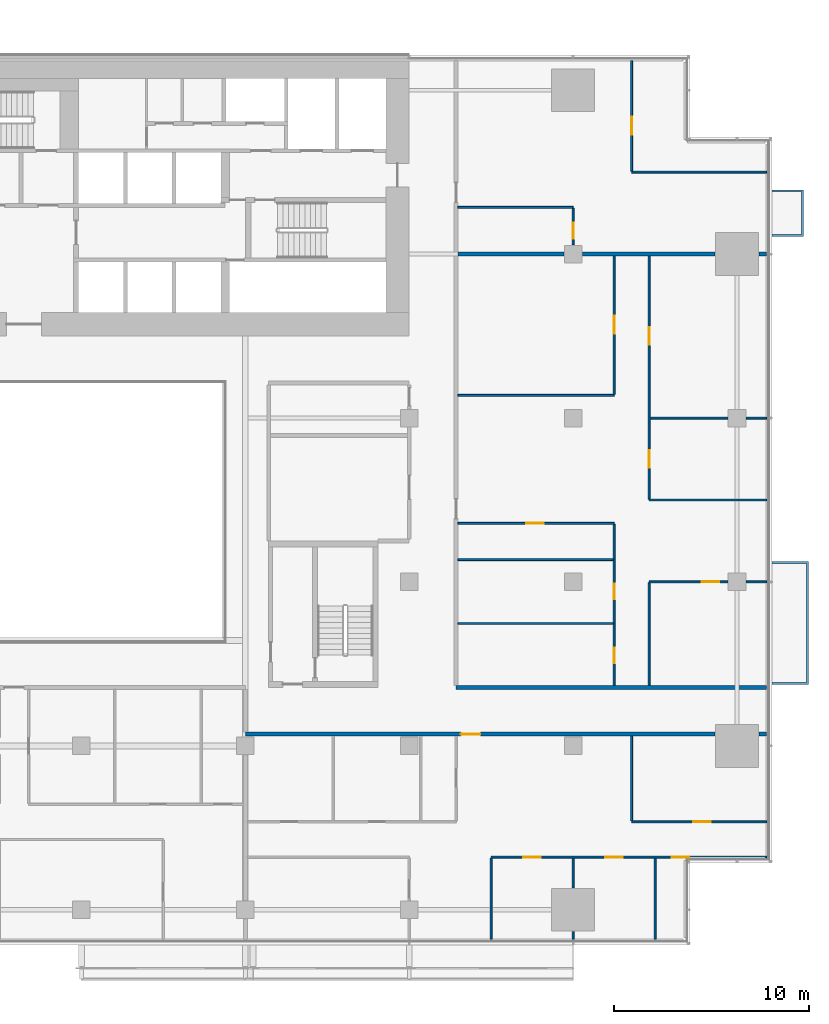
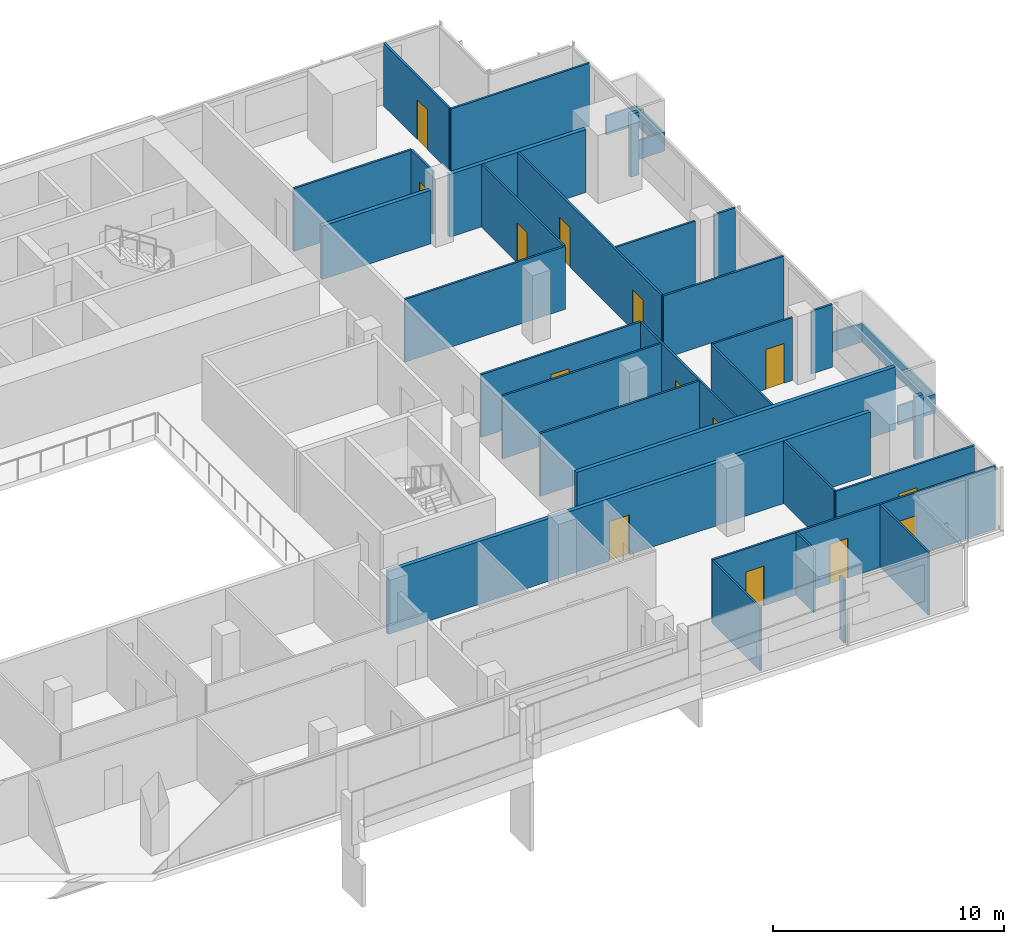
# One storey, part 23 of 27: 32 walls, 14 doors, 14 openings.
"""IFC4 building model written with IfcOpenShell, lengths in metres."""

from ifc_helpers import new_model, si_unit, direction, frame, frame_2d, origin, place, context, subcontext, project, spatial, polyline, rectangle, outline, extrude, material, layer, layer_set, type_object, element, fill, save


model = new_model("IFC4")

# Units and contexts
model_context = context("Model", 3, precision=1e-05, world=origin(), true_north=direction((0.0, 1.0)))
body_context = subcontext(model_context, "Body", "Model", "MODEL_VIEW")
ifc_project = project(units=[si_unit("LENGTHUNIT", "METRE"), si_unit("AREAUNIT", "SQUARE_METRE"), si_unit("VOLUMEUNIT", "CUBIC_METRE"), si_unit("PLANEANGLEUNIT", "RADIAN"), si_unit("MASSUNIT", "GRAM", prefix="KILO")], contexts=[model_context])

# Site, building, storey
site_placement = place(None, origin())
site = spatial("IfcSite", under=ifc_project, at=site_placement, CompositionType="ELEMENT")
building_placement = place(site_placement, origin())
building = spatial("IfcBuilding", under=site, at=building_placement, Name="Saffron Gate Tower", CompositionType="ELEMENT")
storey_placement = place(building_placement, frame((0.0, 0.0, 66.0)))
storey = spatial("IfcBuildingStorey", under=building, at=storey_placement, Name="L15", CompositionType="ELEMENT", Elevation=66.0)

# Wall, openings, doors
ifc_material_1 = material(Name="Plasterboard on steel studs", Category="steel")
ifc_layer_1 = layer(ifc_material_1, 0.10009765625)
ifc_layer_set_1 = layer_set([ifc_layer_1], Name="PW1 Partition 100")
wall_type_1 = type_object("IfcWallType", Name="PW1 Partition 100", PredefinedType="PARTITIONING", material=ifc_layer_set_1)
wall_1_placement = place(storey_placement, frame((126.919921875, 34.5, 0.0), z_axis=(0.0, 0.0, 1.0), x_axis=(-1.0, 0.0, 0.0)))
wall_1 = element("IfcWall", 1, at=wall_1_placement, inside=storey, type_object=wall_type_1, Name="Partition A3-3", PredefinedType="PARTITIONING", context=body_context, shape_type="SweptSolid", body=[
    extrude(rectangle(XDim=14.119873046875, YDim=0.10009765625, at=frame_2d((7.06005859375, 0.0))), origin(), (0.0, 0.0, 1.0), 3.320068359375),
])
opening_1_placement = place(wall_1_placement, frame((3.96630859375, 0.0, 0.0)))
opening_1 = element("IfcOpeningElement", 2, at=opening_1_placement, cuts=wall_1, Name="Opening A3-22", PredefinedType="OPENING", context=body_context, shape_type="SweptSolid", body=[
    extrude(rectangle(XDim=0.89990234375, YDim=2.10009765625, at=frame_2d((0.449951171875, 1.050048828125))), frame((0.0, 0.06005859375, 0.0), z_axis=(0.0, -1.0, 0.0), x_axis=(1.0, 0.0, 0.0)), (0.0, 0.0, 1.0), 0.1201171875),
])
opening_2_placement = place(wall_1_placement, frame((7.3701171875, 0.0, 0.0)))
opening_2 = element("IfcOpeningElement", 3, at=opening_2_placement, cuts=wall_1, Name="Opening A3-21", PredefinedType="OPENING", context=body_context, shape_type="SweptSolid", body=[
    extrude(rectangle(XDim=0.89990234375, YDim=2.10009765625, at=frame_2d((0.449951171875, 1.050048828125))), frame((0.0, 0.06005859375, 0.0), z_axis=(0.0, -1.0, 0.0), x_axis=(1.0, 0.0, 0.0)), (0.0, 0.0, 1.0), 0.1201171875),
])
opening_3_placement = place(wall_1_placement, frame((11.570068359375, 0.0, 0.0)))
opening_3 = element("IfcOpeningElement", 4, at=opening_3_placement, cuts=wall_1, Name="Opening A3-20", PredefinedType="OPENING", context=body_context, shape_type="SweptSolid", body=[
    extrude(rectangle(XDim=0.89990234375, YDim=2.10009765625, at=frame_2d((0.449951171875, 1.050048828125))), frame((0.0, 0.06005859375, 0.0), z_axis=(0.0, -1.0, 0.0), x_axis=(1.0, 0.0, 0.0)), (0.0, 0.0, 1.0), 0.1201171875),
])
ifc_material_2 = material(Name="Timber door set", Category="wood")
door_type_1 = type_object("IfcDoorType", Name="RD1 Room door 900x2100", OperationType="NOTDEFINED", PredefinedType="DOOR", material=ifc_material_2)
door_1_placement = place(opening_1_placement, origin())
door_1 = element("IfcDoor", 5, at=door_1_placement, inside=storey, type_object=door_type_1, Name="Door A3-22", OperationType="SINGLE_SWING_RIGHT", OverallHeight=2.10009765625, OverallWidth=0.89990234375, PredefinedType="DOOR", context=body_context, shape_type="SweptSolid", body=[
    extrude(rectangle(XDim=0.89990234375, YDim=2.10009765625, at=frame_2d((0.449951171875, 1.050048828125))), frame((0.0, 0.02490234375, 0.0), z_axis=(0.0, -1.0, 0.0), x_axis=(1.0, 0.0, 0.0)), (0.0, 0.0, 1.0), 0.050048828125),
])
fill(opening_1, door_1)
door_2_placement = place(opening_2_placement, origin())
door_2 = element("IfcDoor", 6, at=door_2_placement, inside=storey, type_object=door_type_1, Name="Door A3-21", OperationType="SINGLE_SWING_RIGHT", OverallHeight=2.10009765625, OverallWidth=0.89990234375, PredefinedType="DOOR", context=body_context, shape_type="SweptSolid", body=[
    extrude(rectangle(XDim=0.89990234375, YDim=2.10009765625, at=frame_2d((0.449951171875, 1.050048828125))), frame((0.0, 0.02490234375, 0.0), z_axis=(0.0, -1.0, 0.0), x_axis=(1.0, 0.0, 0.0)), (0.0, 0.0, 1.0), 0.050048828125),
])
fill(opening_2, door_2)
door_3_placement = place(opening_3_placement, origin())
door_3 = element("IfcDoor", 7, at=door_3_placement, inside=storey, type_object=door_type_1, Name="Door A3-20", OperationType="SINGLE_SWING_LEFT", OverallHeight=2.10009765625, OverallWidth=0.89990234375, PredefinedType="DOOR", context=body_context, shape_type="SweptSolid", body=[
    extrude(rectangle(XDim=0.89990234375, YDim=2.10009765625, at=frame_2d((0.449951171875, 1.050048828125))), frame((0.0, 0.02490234375, 0.0), z_axis=(0.0, -1.0, 0.0), x_axis=(1.0, 0.0, 0.0)), (0.0, 0.0, 1.0), 0.050048828125),
])
fill(opening_3, door_3)

# Wall, opening, door
wall_2_placement = place(storey_placement, frame((120.0, 36.300048828125, 0.0), z_axis=(0.0, 0.0, 1.0), x_axis=(1.0, 0.0, 0.0)))
wall_2 = element("IfcWall", 8, at=wall_2_placement, inside=storey, type_object=wall_type_1, Name="Partition A3-8", PredefinedType="PARTITIONING", context=body_context, shape_type="SweptSolid", body=[
    extrude(rectangle(XDim=6.919921875, YDim=0.10009765625, at=frame_2d((3.4599609375, 0.0))), origin(), (0.0, 0.0, 1.0), 3.320068359375),
])
opening_4_placement = place(wall_2_placement, frame((3.14990234375, 0.0, 0.0)))
opening_4 = element("IfcOpeningElement", 9, at=opening_4_placement, cuts=wall_2, Name="Opening A3-23", PredefinedType="OPENING", context=body_context, shape_type="SweptSolid", body=[
    extrude(rectangle(XDim=0.89990234375, YDim=2.10009765625, at=frame_2d((0.449951171875, 1.050048828125))), frame((0.0, 0.06005859375, 0.0), z_axis=(0.0, -1.0, 0.0), x_axis=(1.0, 0.0, 0.0)), (0.0, 0.0, 1.0), 0.1201171875),
])
door_4_placement = place(opening_4_placement, origin())
door_4 = element("IfcDoor", 10, at=door_4_placement, inside=storey, type_object=door_type_1, Name="Door A3-23", OperationType="SINGLE_SWING_RIGHT", OverallHeight=2.10009765625, OverallWidth=0.89990234375, PredefinedType="DOOR", context=body_context, shape_type="SweptSolid", body=[
    extrude(rectangle(XDim=0.89990234375, YDim=2.10009765625, at=frame_2d((0.449951171875, 1.050048828125))), frame((0.0, 0.02490234375, 0.0), z_axis=(0.0, -1.0, 0.0), x_axis=(1.0, 0.0, 0.0)), (0.0, 0.0, 1.0), 0.050048828125),
])
fill(opening_4, door_4)

# Wall
wall_3_placement = place(storey_placement, frame((111.10009765625, 46.4716796875, 0.0), z_axis=(0.0, 0.0, 1.0), x_axis=(1.0, 0.0, 0.0)))
element("IfcWall", 11, at=wall_3_placement, inside=storey, type_object=wall_type_1, Name="Partition A3-18", PredefinedType="PARTITIONING", context=body_context, shape_type="SweptSolid", body=[
    extrude(rectangle(XDim=7.949951171875, YDim=0.10009765625, at=frame_2d((3.97509765625, 0.0))), origin(), (0.0, 0.0, 1.0), 3.320068359375),
])

# Wall, opening, door
wall_4_placement = place(storey_placement, frame((124.929931640625, 48.60009765625, 0.0), z_axis=(0.0, 0.0, 1.0), x_axis=(-1.0, 0.0, 0.0)))
wall_4 = element("IfcWall", 12, at=wall_4_placement, inside=storey, type_object=wall_type_1, Name="Partition A3-21", PredefinedType="PARTITIONING", context=body_context, shape_type="SweptSolid", body=[
    extrude(rectangle(XDim=4.030029296875, YDim=0.10009765625, at=frame_2d((2.01513671875, 0.0))), origin(), (0.0, 0.0, 1.0), 3.320068359375),
])
opening_5_placement = place(wall_4_placement, frame((0.429931640625, 0.0, 0.0)))
opening_5 = element("IfcOpeningElement", 13, at=opening_5_placement, cuts=wall_4, Name="Opening A3-30", PredefinedType="OPENING", context=body_context, shape_type="SweptSolid", body=[
    extrude(rectangle(XDim=0.89990234375, YDim=2.10009765625, at=frame_2d((0.449951171875, 1.050048828125))), frame((0.0, 0.06005859375, 0.0), z_axis=(0.0, -1.0, 0.0), x_axis=(1.0, 0.0, 0.0)), (0.0, 0.0, 1.0), 0.1201171875),
])
door_5_placement = place(opening_5_placement, origin())
door_5 = element("IfcDoor", 14, at=door_5_placement, inside=storey, type_object=door_type_1, Name="Door A3-30", OperationType="SINGLE_SWING_LEFT", OverallHeight=2.10009765625, OverallWidth=0.89990234375, PredefinedType="DOOR", context=body_context, shape_type="SweptSolid", body=[
    extrude(rectangle(XDim=0.89990234375, YDim=2.10009765625, at=frame_2d((0.449951171875, 1.050048828125))), frame((0.0, 0.02490234375, 0.0), z_axis=(0.0, -1.0, 0.0), x_axis=(1.0, 0.0, 0.0)), (0.0, 0.0, 1.0), 0.050048828125),
])
fill(opening_5, door_5)

# Walls
wall_5_placement = place(storey_placement, frame((125.8701171875, 48.60009765625, 0.0), z_axis=(0.0, 0.0, 1.0), x_axis=(1.0, 0.0, 0.0)))
element("IfcWall", 15, at=wall_5_placement, inside=storey, type_object=wall_type_1, Name="Partition A3-22", PredefinedType="PARTITIONING", context=body_context, shape_type="SweptSolid", body=[
    extrude(rectangle(XDim=1.0498046875, YDim=0.10009765625, at=frame_2d((0.52490234375, 0.0))), origin(), (0.0, 0.0, 1.0), 3.320068359375),
])
wall_6_placement = place(storey_placement, frame((111.10009765625, 49.7431640625, 0.0), z_axis=(0.0, 0.0, 1.0), x_axis=(1.0, 0.0, 0.0)))
element("IfcWall", 16, at=wall_6_placement, inside=storey, type_object=wall_type_1, Name="Partition A3-25", PredefinedType="PARTITIONING", context=body_context, shape_type="SweptSolid", body=[
    extrude(rectangle(XDim=7.949951171875, YDim=0.10009765625, at=frame_2d((3.97509765625, 0.0))), origin(), (0.0, 0.0, 1.0), 3.320068359375),
])

# Wall, opening, door
wall_7_placement = place(storey_placement, frame((119.10009765625, 51.60009765625, 0.0), z_axis=(0.0, 0.0, 1.0), x_axis=(-1.0, 0.0, 0.0)))
wall_7 = element("IfcWall", 17, at=wall_7_placement, inside=storey, type_object=wall_type_1, Name="Partition A3-28", PredefinedType="PARTITIONING", context=body_context, shape_type="SweptSolid", body=[
    extrude(rectangle(XDim=8.0, YDim=0.10009765625, at=frame_2d((4.0, 0.0))), origin(), (0.0, 0.0, 1.0), 3.320068359375),
])
opening_6_placement = place(wall_7_placement, frame((3.60009765625, 0.0, 0.0)))
opening_6 = element("IfcOpeningElement", 18, at=opening_6_placement, cuts=wall_7, Name="Opening A3-34", PredefinedType="OPENING", context=body_context, shape_type="SweptSolid", body=[
    extrude(rectangle(XDim=0.89990234375, YDim=2.10009765625, at=frame_2d((0.449951171875, 1.050048828125))), frame((0.0, 0.06005859375, 0.0), z_axis=(0.0, -1.0, 0.0), x_axis=(1.0, 0.0, 0.0)), (0.0, 0.0, 1.0), 0.1201171875),
])
door_6_placement = place(opening_6_placement, origin())
door_6 = element("IfcDoor", 19, at=door_6_placement, inside=storey, type_object=door_type_1, Name="Door A3-34", OperationType="SINGLE_SWING_RIGHT", OverallHeight=2.10009765625, OverallWidth=0.89990234375, PredefinedType="DOOR", context=body_context, shape_type="SweptSolid", body=[
    extrude(rectangle(XDim=0.89990234375, YDim=2.10009765625, at=frame_2d((0.449951171875, 1.050048828125))), frame((0.0, 0.02490234375, 0.0), z_axis=(0.0, -1.0, 0.0), x_axis=(1.0, 0.0, 0.0)), (0.0, 0.0, 1.0), 0.050048828125),
])
fill(opening_6, door_6)

# Walls
wall_8_placement = place(storey_placement, frame((120.89990234375, 52.800048828125, 0.0), z_axis=(0.0, 0.0, 1.0), x_axis=(1.0, 0.0, 0.0)))
element("IfcWall", 20, at=wall_8_placement, inside=storey, type_object=wall_type_1, Name="Partition A3-30", PredefinedType="PARTITIONING", context=body_context, shape_type="SweptSolid", body=[
    extrude(rectangle(XDim=6.02001953125, YDim=0.10009765625, at=frame_2d((3.010009765625, 0.0))), origin(), (0.0, 0.0, 1.0), 3.320068359375),
])
wall_9_placement = place(storey_placement, frame((120.949951171875, 57.0, 0.0), z_axis=(0.0, 0.0, 1.0), x_axis=(1.0, 0.0, 0.0)))
element("IfcWall", 21, at=wall_9_placement, inside=storey, type_object=wall_type_1, Name="Partition A3-36", PredefinedType="PARTITIONING", context=body_context, shape_type="SweptSolid", body=[
    extrude(rectangle(XDim=3.97998046875, YDim=0.10009765625, at=frame_2d((1.989990234375, 0.0))), origin(), (0.0, 0.0, 1.0), 3.320068359375),
])
wall_10_placement = place(storey_placement, frame((125.8701171875, 57.0, 0.0), z_axis=(0.0, 0.0, 1.0), x_axis=(1.0, 0.0, 0.0)))
element("IfcWall", 22, at=wall_10_placement, inside=storey, type_object=wall_type_1, Name="Partition A3-37", PredefinedType="PARTITIONING", context=body_context, shape_type="SweptSolid", body=[
    extrude(rectangle(XDim=1.0498046875, YDim=0.10009765625, at=frame_2d((0.52490234375, 0.0))), origin(), (0.0, 0.0, 1.0), 3.320068359375),
])
wall_11_placement = place(storey_placement, frame((111.10009765625, 58.16162109375, 0.0), z_axis=(0.0, 0.0, 1.0), x_axis=(1.0, 0.0, 0.0)))
element("IfcWall", 23, at=wall_11_placement, inside=storey, type_object=wall_type_1, Name="Partition A3-38", PredefinedType="PARTITIONING", context=body_context, shape_type="SweptSolid", body=[
    extrude(rectangle(XDim=8.0, YDim=0.10009765625, at=frame_2d((4.0, 0.0))), origin(), (0.0, 0.0, 1.0), 3.320068359375),
])
wall_12_placement = place(storey_placement, frame((111.10009765625, 67.800048828125, 0.0), z_axis=(0.0, 0.0, 1.0), x_axis=(1.0, 0.0, 0.0)))
element("IfcWall", 24, at=wall_12_placement, inside=storey, type_object=wall_type_1, Name="Partition A3-47", PredefinedType="PARTITIONING", context=body_context, shape_type="SweptSolid", body=[
    extrude(rectangle(XDim=5.89990234375, YDim=0.10009765625, at=frame_2d((2.949951171875, 0.0))), origin(), (0.0, 0.0, 1.0), 3.320068359375),
])
wall_13_placement = place(storey_placement, frame((120.0, 69.60009765625, 0.0), z_axis=(0.0, 0.0, 1.0), x_axis=(1.0, 0.0, 0.0)))
element("IfcWall", 25, at=wall_13_placement, inside=storey, type_object=wall_type_1, Name="Partition A3-50", PredefinedType="PARTITIONING", context=body_context, shape_type="SweptSolid", body=[
    extrude(rectangle(XDim=6.919921875, YDim=0.10009765625, at=frame_2d((3.4599609375, 0.0))), origin(), (0.0, 0.0, 1.0), 3.320068359375),
])
wall_14_placement = place(storey_placement, frame((112.800048828125, 34.449951171875, 0.0), z_axis=(0.0, 0.0, 1.0), x_axis=(0.0, -1.0, 0.0)))
element("IfcWall", 26, at=wall_14_placement, inside=storey, type_object=wall_type_1, Name="Partition A3-94", PredefinedType="PARTITIONING", context=body_context, shape_type="SweptSolid", body=[
    extrude(rectangle(XDim=4.169921875, YDim=0.10009765625, at=frame_2d((2.0849609375, 0.0))), origin(), (0.0, 0.0, 1.0), 3.320068359375),
])
wall_15_placement = place(storey_placement, frame((117.0, 30.679931640625, 0.0), z_axis=(0.0, 0.0, 1.0), x_axis=(0.0, -1.0, 0.0)))
element("IfcWall", 27, at=wall_15_placement, inside=storey, type_object=wall_type_1, Name="Partition A3-95", PredefinedType="PARTITIONING", context=body_context, shape_type="SweptSolid", body=[
    extrude(rectangle(XDim=0.39990234375, YDim=0.10009765625, at=frame_2d((0.199951171875, 0.0))), origin(), (0.0, 0.0, 1.0), 3.320068359375),
])
wall_16_placement = place(storey_placement, frame((117.0, 34.449951171875, 0.0), z_axis=(0.0, 0.0, 1.0), x_axis=(0.0, -1.0, 0.0)))
element("IfcWall", 28, at=wall_16_placement, inside=storey, type_object=wall_type_1, Name="Partition A3-96", PredefinedType="PARTITIONING", context=body_context, shape_type="SweptSolid", body=[
    extrude(rectangle(XDim=1.530029296875, YDim=0.10009765625, at=frame_2d((0.76513671875, 0.0))), origin(), (0.0, 0.0, 1.0), 3.320068359375),
])

# Wall, opening, door
wall_17_placement = place(storey_placement, frame((117.0, 65.8701171875, 0.0), z_axis=(0.0, 0.0, 1.0), x_axis=(0.0, 1.0, 0.0)))
wall_17 = element("IfcWall", 29, at=wall_17_placement, inside=storey, type_object=wall_type_1, Name="Partition A3-97", PredefinedType="PARTITIONING", context=body_context, shape_type="SweptSolid", body=[
    extrude(rectangle(XDim=1.8798828125, YDim=0.10009765625, at=frame_2d((0.93994140625, 0.0))), origin(), (0.0, 0.0, 1.0), 3.320068359375),
])
opening_7_placement = place(wall_17_placement, frame((0.330078125, 0.0, 0.0)))
opening_7 = element("IfcOpeningElement", 30, at=opening_7_placement, cuts=wall_17, Name="Opening A3-48", PredefinedType="OPENING", context=body_context, shape_type="SweptSolid", body=[
    extrude(rectangle(XDim=0.800048828125, YDim=2.10009765625, at=frame_2d((0.39990234375, 1.050048828125))), frame((0.0, 0.06005859375, 0.0), z_axis=(0.0, -1.0, 0.0), x_axis=(1.0, 0.0, 0.0)), (0.0, 0.0, 1.0), 0.1201171875),
])
door_type_2 = type_object("IfcDoorType", Name="RD2 Bathroom door 800x2100", OperationType="NOTDEFINED", PredefinedType="DOOR", material=ifc_material_2)
door_7_placement = place(opening_7_placement, origin())
door_7 = element("IfcDoor", 31, at=door_7_placement, inside=storey, type_object=door_type_2, Name="Door A3-48", OperationType="SINGLE_SWING_LEFT", OverallHeight=2.10009765625, OverallWidth=0.800048828125, PredefinedType="DOOR", context=body_context, shape_type="SweptSolid", body=[
    extrude(rectangle(XDim=0.800048828125, YDim=2.10009765625, at=frame_2d((0.39990234375, 1.050048828125))), frame((0.0, 0.02490234375, 0.0), z_axis=(0.0, -1.0, 0.0), x_axis=(1.0, 0.0, 0.0)), (0.0, 0.0, 1.0), 0.050048828125),
])
fill(opening_7, door_7)

# Wall, openings, doors
wall_18_placement = place(storey_placement, frame((119.10009765625, 43.300048828125, 0.0), z_axis=(0.0, 0.0, 1.0), x_axis=(0.0, 1.0, 0.0)))
wall_18 = element("IfcWall", 32, at=wall_18_placement, inside=storey, type_object=wall_type_1, Name="Partition A3-98", PredefinedType="PARTITIONING", context=body_context, shape_type="SweptSolid", body=[
    extrude(rectangle(XDim=8.25, YDim=0.10009765625, at=frame_2d((4.125, 0.0))), origin(), (0.0, 0.0, 1.0), 3.320068359375),
])
opening_8_placement = place(wall_18_placement, frame((1.1357421875, 0.0, 0.0)))
opening_8 = element("IfcOpeningElement", 33, at=opening_8_placement, cuts=wall_18, Name="Opening A3-46", PredefinedType="OPENING", context=body_context, shape_type="SweptSolid", body=[
    extrude(rectangle(XDim=0.800048828125, YDim=2.10009765625, at=frame_2d((0.39990234375, 1.050048828125))), frame((0.0, 0.06005859375, 0.0), z_axis=(0.0, -1.0, 0.0), x_axis=(1.0, 0.0, 0.0)), (0.0, 0.0, 1.0), 0.1201171875),
])
opening_9_placement = place(wall_18_placement, frame((4.407470703125, 0.0, 0.0)))
opening_9 = element("IfcOpeningElement", 34, at=opening_9_placement, cuts=wall_18, Name="Opening A3-47", PredefinedType="OPENING", context=body_context, shape_type="SweptSolid", body=[
    extrude(rectangle(XDim=0.800048828125, YDim=2.10009765625, at=frame_2d((0.39990234375, 1.050048828125))), frame((0.0, 0.06005859375, 0.0), z_axis=(0.0, -1.0, 0.0), x_axis=(1.0, 0.0, 0.0)), (0.0, 0.0, 1.0), 0.1201171875),
])
door_8_placement = place(opening_8_placement, origin())
door_8 = element("IfcDoor", 35, at=door_8_placement, inside=storey, type_object=door_type_2, Name="Door A3-46", OperationType="SINGLE_SWING_LEFT", OverallHeight=2.10009765625, OverallWidth=0.800048828125, PredefinedType="DOOR", context=body_context, shape_type="SweptSolid", body=[
    extrude(rectangle(XDim=0.800048828125, YDim=2.10009765625, at=frame_2d((0.39990234375, 1.050048828125))), frame((0.0, 0.02490234375, 0.0), z_axis=(0.0, -1.0, 0.0), x_axis=(1.0, 0.0, 0.0)), (0.0, 0.0, 1.0), 0.050048828125),
])
fill(opening_8, door_8)
door_9_placement = place(opening_9_placement, origin())
door_9 = element("IfcDoor", 36, at=door_9_placement, inside=storey, type_object=door_type_2, Name="Door A3-47", OperationType="SINGLE_SWING_LEFT", OverallHeight=2.10009765625, OverallWidth=0.800048828125, PredefinedType="DOOR", context=body_context, shape_type="SweptSolid", body=[
    extrude(rectangle(XDim=0.800048828125, YDim=2.10009765625, at=frame_2d((0.39990234375, 1.050048828125))), frame((0.0, 0.02490234375, 0.0), z_axis=(0.0, -1.0, 0.0), x_axis=(1.0, 0.0, 0.0)), (0.0, 0.0, 1.0), 0.050048828125),
])
fill(opening_9, door_9)

# Wall, opening, door
wall_19_placement = place(storey_placement, frame((119.10009765625, 58.211669921875, 0.0), z_axis=(0.0, 0.0, 1.0), x_axis=(0.0, 1.0, 0.0)))
wall_19 = element("IfcWall", 37, at=wall_19_placement, inside=storey, type_object=wall_type_1, Name="Partition A3-99", PredefinedType="PARTITIONING", context=body_context, shape_type="SweptSolid", body=[
    extrude(rectangle(XDim=7.08837890625, YDim=0.10009765625, at=frame_2d((3.544189453125, 0.0))), origin(), (0.0, 0.0, 1.0), 3.320068359375),
])
opening_10_placement = place(wall_19_placement, frame((3.119140625, 0.0, 0.0)))
opening_10 = element("IfcOpeningElement", 38, at=opening_10_placement, cuts=wall_19, Name="Opening A3-33", PredefinedType="OPENING", context=body_context, shape_type="SweptSolid", body=[
    extrude(rectangle(XDim=0.89990234375, YDim=2.10009765625, at=frame_2d((0.449951171875, 1.050048828125))), frame((0.0, 0.06005859375, 0.0), z_axis=(0.0, -1.0, 0.0), x_axis=(1.0, 0.0, 0.0)), (0.0, 0.0, 1.0), 0.1201171875),
])
door_10_placement = place(opening_10_placement, origin())
door_10 = element("IfcDoor", 39, at=door_10_placement, inside=storey, type_object=door_type_1, Name="Door A3-33", OperationType="SINGLE_SWING_RIGHT", OverallHeight=2.10009765625, OverallWidth=0.89990234375, PredefinedType="DOOR", context=body_context, shape_type="SweptSolid", body=[
    extrude(rectangle(XDim=0.89990234375, YDim=2.10009765625, at=frame_2d((0.449951171875, 1.050048828125))), frame((0.0, 0.02490234375, 0.0), z_axis=(0.0, -1.0, 0.0), x_axis=(1.0, 0.0, 0.0)), (0.0, 0.0, 1.0), 0.050048828125),
])
fill(opening_10, door_10)

# Wall
wall_20_placement = place(storey_placement, frame((120.0, 40.699951171875, 0.0), z_axis=(0.0, 0.0, 1.0), x_axis=(0.0, -1.0, 0.0)))
element("IfcWall", 40, at=wall_20_placement, inside=storey, type_object=wall_type_1, Name="Partition A3-100", PredefinedType="PARTITIONING", context=body_context, shape_type="SweptSolid", body=[
    extrude(rectangle(XDim=4.349853515625, YDim=0.10009765625, at=frame_2d((2.1748046875, 0.0))), origin(), (0.0, 0.0, 1.0), 3.320068359375),
])

# Wall, opening, door
wall_21_placement = place(storey_placement, frame((120.0, 75.320068359375, 0.0), z_axis=(0.0, 0.0, 1.0), x_axis=(0.0, -1.0, 0.0)))
wall_21 = element("IfcWall", 41, at=wall_21_placement, inside=storey, type_object=wall_type_1, Name="Partition A3-101", PredefinedType="PARTITIONING", context=body_context, shape_type="SweptSolid", body=[
    extrude(rectangle(XDim=5.670166015625, YDim=0.10009765625, at=frame_2d((2.8349609375, 0.0))), origin(), (0.0, 0.0, 1.0), 3.320068359375),
])
opening_11_placement = place(wall_21_placement, frame((2.89111328125, 0.0, 0.0)))
opening_11 = element("IfcOpeningElement", 42, at=opening_11_placement, cuts=wall_21, Name="Opening A3-35", PredefinedType="OPENING", context=body_context, shape_type="SweptSolid", body=[
    extrude(rectangle(XDim=0.89990234375, YDim=2.10009765625, at=frame_2d((0.449951171875, 1.050048828125))), frame((0.0, 0.06005859375, 0.0), z_axis=(0.0, -1.0, 0.0), x_axis=(1.0, 0.0, 0.0)), (0.0, 0.0, 1.0), 0.1201171875),
])
door_11_placement = place(opening_11_placement, origin())
door_11 = element("IfcDoor", 43, at=door_11_placement, inside=storey, type_object=door_type_1, Name="Door A3-35", OperationType="SINGLE_SWING_RIGHT", OverallHeight=2.10009765625, OverallWidth=0.89990234375, PredefinedType="DOOR", context=body_context, shape_type="SweptSolid", body=[
    extrude(rectangle(XDim=0.89990234375, YDim=2.10009765625, at=frame_2d((0.449951171875, 1.050048828125))), frame((0.0, 0.02490234375, 0.0), z_axis=(0.0, -1.0, 0.0), x_axis=(1.0, 0.0, 0.0)), (0.0, 0.0, 1.0), 0.050048828125),
])
fill(opening_11, door_11)

# Wall
wall_22_placement = place(storey_placement, frame((120.89990234375, 48.550048828125, 0.0), z_axis=(0.0, 0.0, 1.0), x_axis=(0.0, -1.0, 0.0)))
element("IfcWall", 44, at=wall_22_placement, inside=storey, type_object=wall_type_1, Name="Partition A3-102", PredefinedType="PARTITIONING", context=body_context, shape_type="SweptSolid", body=[
    extrude(rectangle(XDim=5.25, YDim=0.10009765625, at=frame_2d((2.625, 0.0))), origin(), (0.0, 0.0, 1.0), 3.320068359375),
])

# Wall, openings, doors
wall_23_placement = place(storey_placement, frame((120.89990234375, 65.300048828125, 0.0), z_axis=(0.0, 0.0, 1.0), x_axis=(0.0, -1.0, 0.0)))
wall_23 = element("IfcWall", 45, at=wall_23_placement, inside=storey, type_object=wall_type_1, Name="Partition A3-103", PredefinedType="PARTITIONING", context=body_context, shape_type="SweptSolid", body=[
    extrude(rectangle(XDim=12.449951171875, YDim=0.10009765625, at=frame_2d((6.22509765625, 0.0))), origin(), (0.0, 0.0, 1.0), 3.320068359375),
])
opening_12_placement = place(wall_23_placement, frame((3.64990234375, 0.0, 0.0)))
opening_12 = element("IfcOpeningElement", 46, at=opening_12_placement, cuts=wall_23, Name="Opening A3-32", PredefinedType="OPENING", context=body_context, shape_type="SweptSolid", body=[
    extrude(rectangle(XDim=0.89990234375, YDim=2.10009765625, at=frame_2d((0.449951171875, 1.050048828125))), frame((0.0, 0.06005859375, 0.0), z_axis=(0.0, -1.0, 0.0), x_axis=(1.0, 0.0, 0.0)), (0.0, 0.0, 1.0), 0.1201171875),
])
opening_13_placement = place(wall_23_placement, frame((9.949951171875, 0.0, 0.0)))
opening_13 = element("IfcOpeningElement", 47, at=opening_13_placement, cuts=wall_23, Name="Opening A3-31", PredefinedType="OPENING", context=body_context, shape_type="SweptSolid", body=[
    extrude(rectangle(XDim=0.89990234375, YDim=2.10009765625, at=frame_2d((0.449951171875, 1.050048828125))), frame((0.0, 0.06005859375, 0.0), z_axis=(0.0, -1.0, 0.0), x_axis=(1.0, 0.0, 0.0)), (0.0, 0.0, 1.0), 0.1201171875),
])
door_12_placement = place(opening_12_placement, origin())
door_12 = element("IfcDoor", 48, at=door_12_placement, inside=storey, type_object=door_type_1, Name="Door A3-32", OperationType="SINGLE_SWING_LEFT", OverallHeight=2.10009765625, OverallWidth=0.89990234375, PredefinedType="DOOR", context=body_context, shape_type="SweptSolid", body=[
    extrude(rectangle(XDim=0.89990234375, YDim=2.10009765625, at=frame_2d((0.449951171875, 1.050048828125))), frame((0.0, 0.02490234375, 0.0), z_axis=(0.0, -1.0, 0.0), x_axis=(1.0, 0.0, 0.0)), (0.0, 0.0, 1.0), 0.050048828125),
])
fill(opening_12, door_12)
door_13_placement = place(opening_13_placement, origin())
door_13 = element("IfcDoor", 49, at=door_13_placement, inside=storey, type_object=door_type_1, Name="Door A3-31", OperationType="SINGLE_SWING_RIGHT", OverallHeight=2.10009765625, OverallWidth=0.89990234375, PredefinedType="DOOR", context=body_context, shape_type="SweptSolid", body=[
    extrude(rectangle(XDim=0.89990234375, YDim=2.10009765625, at=frame_2d((0.449951171875, 1.050048828125))), frame((0.0, 0.02490234375, 0.0), z_axis=(0.0, -1.0, 0.0), x_axis=(1.0, 0.0, 0.0)), (0.0, 0.0, 1.0), 0.050048828125),
])
fill(opening_13, door_13)

# Walls
wall_24_placement = place(storey_placement, frame((121.199951171875, 34.449951171875, 0.0), z_axis=(0.0, 0.0, 1.0), x_axis=(0.0, -1.0, 0.0)))
element("IfcWall", 50, at=wall_24_placement, inside=storey, type_object=wall_type_1, Name="Partition A3-104", PredefinedType="PARTITIONING", context=body_context, shape_type="SweptSolid", body=[
    extrude(rectangle(XDim=4.169921875, YDim=0.10009765625, at=frame_2d((2.0849609375, 0.0))), origin(), (0.0, 0.0, 1.0), 3.320068359375),
])
ifc_material_3 = material(Name="Clay brick masonry, rendered", Category="masonry")
ifc_layer_2 = layer(ifc_material_3, 0.199951171875)
ifc_layer_set_2 = layer_set([ifc_layer_2], Name="PW2 Demising wall 200")
wall_type_2 = type_object("IfcWallType", Name="PW2 Demising wall 200", PredefinedType="PARTITIONING", material=ifc_layer_set_2)
wall_25_placement = place(storey_placement, frame((111.10009765625, 65.39990234375, 0.0), z_axis=(0.0, 0.0, 1.0), x_axis=(1.0, 0.0, 0.0)))
element("IfcWall", 51, at=wall_25_placement, inside=storey, type_object=wall_type_2, Name="Wall A3-44", PredefinedType="PARTITIONING", context=body_context, shape_type="SweptSolid", body=[
    extrude(rectangle(XDim=5.429931640625, YDim=0.199951171875, at=frame_2d((2.71484375, 0.0))), origin(), (0.0, 0.0, 1.0), 2.820068359375),
])
wall_26_placement = place(storey_placement, frame((117.469970703125, 65.39990234375, 0.0), z_axis=(0.0, 0.0, 1.0), x_axis=(1.0, 0.0, 0.0)))
element("IfcWall", 52, at=wall_26_placement, inside=storey, type_object=wall_type_2, Name="Wall A3-45", PredefinedType="PARTITIONING", context=body_context, shape_type="SweptSolid", body=[
    extrude(rectangle(XDim=6.81005859375, YDim=0.199951171875, at=frame_2d((3.405029296875, 0.0))), origin(), (0.0, 0.0, 1.0), 3.320068359375),
])
wall_27_placement = place(storey_placement, frame((126.52001953125, 65.39990234375, 0.0), z_axis=(0.0, 0.0, 1.0), x_axis=(1.0, 0.0, 0.0)))
element("IfcWall", 53, at=wall_27_placement, inside=storey, type_object=wall_type_2, Name="Wall A3-46", PredefinedType="PARTITIONING", context=body_context, shape_type="SweptSolid", body=[
    extrude(rectangle(XDim=0.39990234375, YDim=0.199951171875, at=frame_2d((0.199951171875, 0.0))), origin(), (0.0, 0.0, 1.0), 3.320068359375),
])

# Wall, opening, door
ifc_layer_3 = layer(ifc_material_3, 0.199951171875)
ifc_layer_set_3 = layer_set([ifc_layer_3], Name="PW3 Corridor wall 200")
wall_type_3 = type_object("IfcWallType", Name="PW3 Corridor wall 200", PredefinedType="PARTITIONING", material=ifc_layer_set_3)
wall_28_placement = place(storey_placement, frame((124.280029296875, 40.800048828125, 0.0), z_axis=(0.0, 0.0, 1.0), x_axis=(-1.0, 0.0, 0.0)))
wall_28 = element("IfcWall", 54, at=wall_28_placement, inside=storey, type_object=wall_type_3, Name="Wall A3-13", PredefinedType="PARTITIONING", context=body_context, shape_type="SweptSolid", body=[
    extrude(rectangle(XDim=24.080078125, YDim=0.199951171875, at=frame_2d((12.0400390625, 0.0))), origin(), (0.0, 0.0, 1.0), 3.320068359375),
])
opening_14_placement = place(wall_28_placement, frame((12.030029296875, 0.0, 0.0)))
opening_14 = element("IfcOpeningElement", 55, at=opening_14_placement, cuts=wall_28, Name="Opening A3-3", PredefinedType="OPENING", context=body_context, shape_type="SweptSolid", body=[
    extrude(rectangle(XDim=1.0, YDim=2.10009765625, at=frame_2d((0.5, 1.050048828125))), frame((0.0, 0.10986328125, 0.0), z_axis=(0.0, -1.0, 0.0), x_axis=(1.0, 0.0, 0.0)), (0.0, 0.0, 1.0), 0.219970703125),
])
ifc_material_4 = material(Name="Timber fire door set", Category="wood")
door_type_3 = type_object("IfcDoorType", Name="FD1 Flat entry door 1000x2100", OperationType="NOTDEFINED", PredefinedType="DOOR", material=ifc_material_4)
door_14_placement = place(opening_14_placement, origin())
door_14 = element("IfcDoor", 56, at=door_14_placement, inside=storey, type_object=door_type_3, Name="Door A3-3", OperationType="SINGLE_SWING_RIGHT", OverallHeight=2.10009765625, OverallWidth=1.0, PredefinedType="DOOR", context=body_context, shape_type="SweptSolid", body=[
    extrude(rectangle(XDim=1.0, YDim=2.10009765625, at=frame_2d((0.5, 1.050048828125))), frame((0.0, 0.02490234375, 0.0), z_axis=(0.0, -1.0, 0.0), x_axis=(1.0, 0.0, 0.0)), (0.0, 0.0, 1.0), 0.050048828125),
])
fill(opening_14, door_14)

# Walls
wall_29_placement = place(storey_placement, frame((126.52001953125, 40.800048828125, 0.0), z_axis=(0.0, 0.0, 1.0), x_axis=(1.0, 0.0, 0.0)))
element("IfcWall", 57, at=wall_29_placement, inside=storey, type_object=wall_type_3, Name="Wall A3-14", PredefinedType="PARTITIONING", context=body_context, shape_type="SweptSolid", body=[
    extrude(rectangle(XDim=0.39990234375, YDim=0.199951171875, at=frame_2d((0.199951171875, 0.0))), origin(), (0.0, 0.0, 1.0), 3.320068359375),
])
wall_30_placement = place(storey_placement, frame((111.0, 43.199951171875, 0.0), z_axis=(0.0, 0.0, 1.0), x_axis=(1.0, 0.0, 0.0)))
element("IfcWall", 58, at=wall_30_placement, inside=storey, type_object=wall_type_3, Name="Wall A3-17", PredefinedType="PARTITIONING", context=body_context, shape_type="SweptSolid", body=[
    extrude(rectangle(XDim=15.919921875, YDim=0.199951171875, at=frame_2d((7.9599609375, 0.0))), origin(), (0.0, 0.0, 1.0), 3.320068359375),
])
ifc_material_5 = material(Name="Rendered insulated panel, white")
ifc_layer_4 = layer(ifc_material_5, 0.10009765625)
ifc_layer_set_4 = layer_set([ifc_layer_4], Name="WB3 box parapet white")
wall_type_4 = type_object("IfcWallType", Name="WB3 box parapet white", PredefinedType="SOLIDWALL", material=ifc_layer_set_4)
wall_31_placement = place(storey_placement, origin())
element("IfcWall", 59, at=wall_31_placement, inside=storey, type_object=wall_type_4, Name="WINDOW BOX parapet", PredefinedType="SOLIDWALL", context=body_context, shape_type="SweptSolid", body=[
    extrude(outline(polyline([(127.199951171875, 43.35009765625), (127.199951171875, 43.449951171875), (128.967041015625, 43.449951171875), (128.967041015625, 49.550048828125), (127.199951171875, 49.550048828125), (127.199951171875, 49.64990234375), (129.06689453125, 49.64990234375), (129.06689453125, 43.35009765625), (127.199951171875, 43.35009765625)])), origin(), (0.0, 0.0, 1.0), 1.0),
])
wall_32_placement = place(storey_placement, origin())
element("IfcWall", 60, at=wall_32_placement, inside=storey, type_object=wall_type_4, Name="WINDOW BOX parapet", PredefinedType="SOLIDWALL", context=body_context, shape_type="SweptSolid", body=[
    extrude(outline(polyline([(127.199951171875, 66.300048828125), (127.199951171875, 66.39990234375), (128.699951171875, 66.39990234375), (128.699951171875, 68.60009765625), (127.199951171875, 68.60009765625), (127.199951171875, 68.699951171875), (128.800048828125, 68.699951171875), (128.800048828125, 66.300048828125), (127.199951171875, 66.300048828125)])), origin(), (0.0, 0.0, 1.0), 1.0),
])

save(model, "model.ifc")
